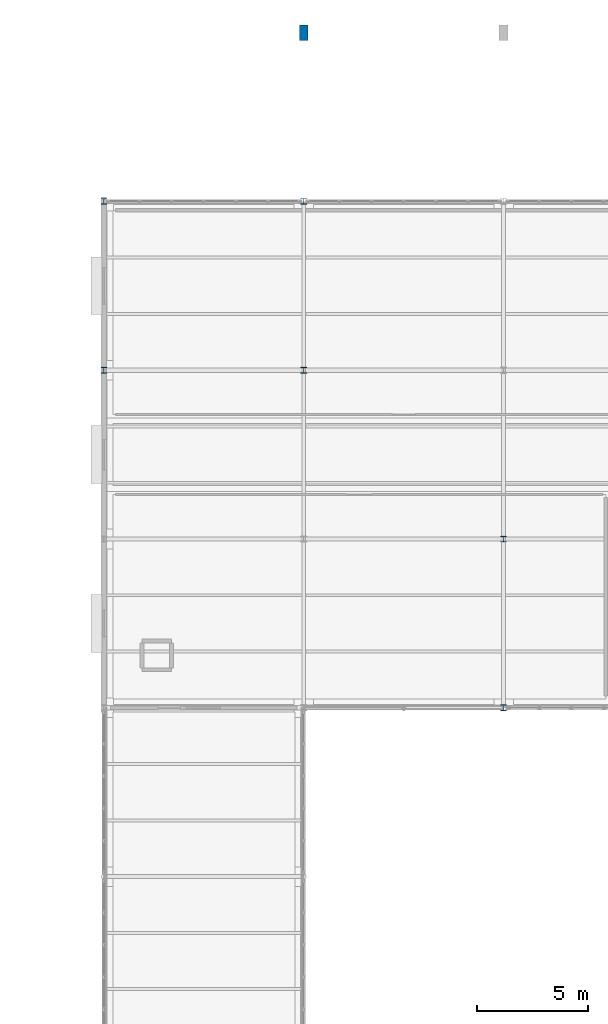
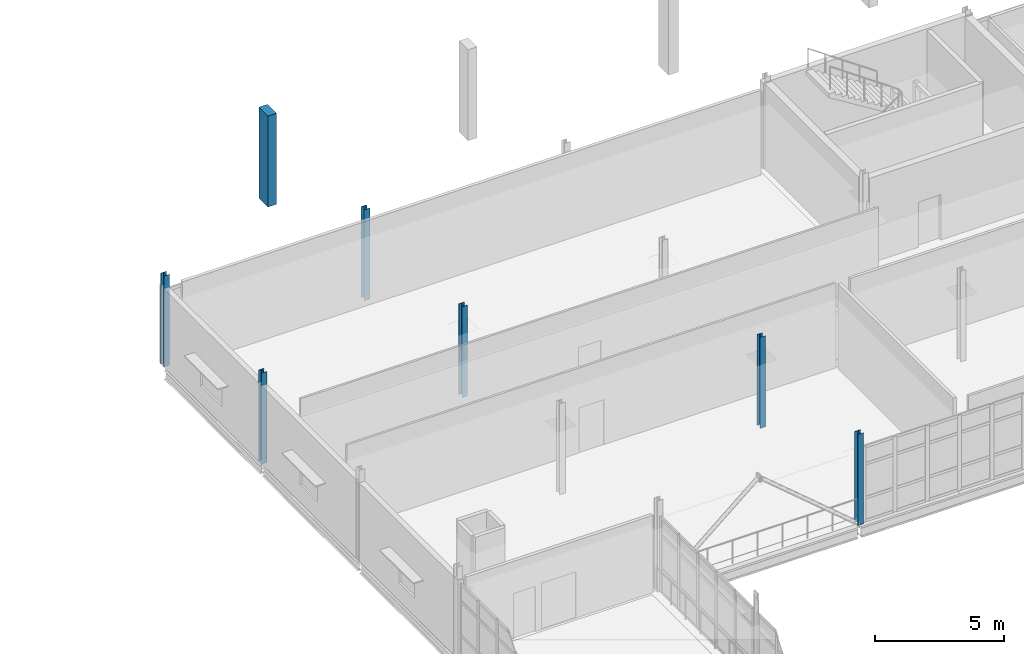
# One storey, part 12 of 166: 7 columns.
"""IFC4 building model written with IfcOpenShell, lengths in metres."""

import ifcopenshell
import ifcopenshell.guid

model = None  # the IFC model being written
_history = None  # IfcOwnerHistory: only IFC2X3 demands one
_inside = {}  # id of a spatial element -> (the spatial element, [elements in it])
_under = {}  # id of a project, library or spatial element -> (it, [spatial elements below it])
_declared = {}  # id of a project -> (the project, [libraries it declares])
_typed = {}  # id of a type object -> (the type object, [elements of that type])
_made_of = {}  # id of a material, layer set ... -> (it, [elements and type objects made of it])


def new_model(schema):
    """Start an empty IFC model of exactly this schema.

    Asked for "IFC4X3", IfcOpenShell would pick the latest addendum, in which some entities
    have other attributes; the version numbers below select the first issue.
    IFC2X3 requires an IfcOwnerHistory on every rooted entity: one is made here for all.
    """
    global model, _history
    if schema == "IFC4X3":
        model = ifcopenshell.file(schema_version=(4, 3, 0, 0))
    else:
        model = ifcopenshell.file(schema=schema)
    _inside.clear()
    _under.clear()
    _declared.clear()
    _typed.clear()
    _made_of.clear()
    _history = None
    if model.schema == "IFC2X3":
        org = make("IfcOrganization", Name="unknown")
        user = make(
            "IfcPersonAndOrganization",
            ThePerson=make("IfcPerson", FamilyName="unknown"),
            TheOrganization=org,
        )
        app = make(
            "IfcApplication",
            ApplicationDeveloper=org,
            Version="unknown",
            ApplicationFullName="unknown",
            ApplicationIdentifier="unknown",
        )
        _history = make(
            "IfcOwnerHistory",
            OwningUser=user,
            OwningApplication=app,
            ChangeAction="ADDED",
            CreationDate=0,
        )
    return model


def make(cls, **values):
    """One entity of the class cls with the attributes given. An attribute that is None is left unset."""
    return model.create_entity(
        cls, **{name: value for name, value in values.items() if value is not None}
    )


def rooted(cls, **values):
    """An entity with a GlobalId (a new one), such as an element, a storey or a relation."""
    return make(cls, GlobalId=ifcopenshell.guid.new(), OwnerHistory=_history, **values)


def si_unit(unit_type, name, prefix=None):
    """IfcSIUnit, for example si_unit("LENGTHUNIT", "METRE", prefix="MILLI")."""
    return make("IfcSIUnit", UnitType=unit_type, Prefix=prefix, Name=name)


def assignment(units):
    """IfcUnitAssignment: the units of a project."""
    return None if units is None else make("IfcUnitAssignment", Units=units)


def point(xyz):
    """IfcCartesianPoint."""
    return None if xyz is None else make("IfcCartesianPoint", Coordinates=xyz)


def direction(xyz):
    """IfcDirection."""
    return None if xyz is None else make("IfcDirection", DirectionRatios=xyz)


def frame(location, z_axis=None, x_axis=None):
    """IfcAxis2Placement3D, a coordinate frame: its origin and axes. An axis left out is left unset."""
    return make(
        "IfcAxis2Placement3D",
        Location=point(location),
        Axis=direction(z_axis),
        RefDirection=direction(x_axis),
    )


def frame_2d(location, x_axis=None):
    """IfcAxis2Placement2D, a coordinate frame in the plane: its origin and x axis."""
    return make(
        "IfcAxis2Placement2D", Location=point(location), RefDirection=direction(x_axis)
    )


def origin():
    """The frame at (0, 0, 0) with its axes left unset."""
    return frame((0.0, 0.0, 0.0))


def origin_2d():
    """The frame at (0, 0) in the plane with its x axis left unset."""
    return frame_2d((0.0, 0.0))


def place(relative_to, where):
    """IfcLocalPlacement: puts the frame where relative to a parent placement (None: the world)."""
    return make(
        "IfcLocalPlacement", PlacementRelTo=relative_to, RelativePlacement=where
    )


def context(
    kind, dimensions, precision=None, world=None, true_north=None, identifier=None
):
    """IfcGeometricRepresentationContext, for example the 3D "Model" context."""
    return make(
        "IfcGeometricRepresentationContext",
        ContextIdentifier=identifier,
        ContextType=kind,
        CoordinateSpaceDimension=dimensions,
        Precision=precision,
        WorldCoordinateSystem=world,
        TrueNorth=true_north,
    )


def subcontext(parent, identifier, kind, view, scale=None):
    """IfcGeometricRepresentationSubContext, for example "Body" below "Model"."""
    return make(
        "IfcGeometricRepresentationSubContext",
        ContextIdentifier=identifier,
        ContextType=kind,
        ParentContext=parent,
        TargetScale=scale,
        TargetView=view,
    )


def project(units=None, contexts=None):
    """IfcProject with its units and contexts."""
    return rooted(
        "IfcProject",
        Name="project",
        RepresentationContexts=contexts,
        UnitsInContext=assignment(units),
    )


def spatial(cls, under=None, at=None, **own):
    """A site, building, storey or space (cls), placed at a placement, below another one or the project."""
    s = rooted(cls, ObjectPlacement=at, **own)
    if under is not None:
        _under.setdefault(under.id(), (under, []))[1].append(s)
    return s


def profile(cls, at=None, kind="AREA", **sizes):
    """A parametric profile (cls). Its sizes go by their IFC names, for example OverallWidth=200.0."""
    return make(cls, ProfileType=kind, Position=at, **sizes)


def rectangle(**sizes):
    """IfcRectangleProfileDef."""
    return profile("IfcRectangleProfileDef", **sizes)


def i_section(**sizes):
    """IfcIShapeProfileDef."""
    return profile("IfcIShapeProfileDef", **sizes)


def extrude(swept, where, along, depth):
    """IfcExtrudedAreaSolid: the profile swept, set in the frame where, extruded along a direction by depth."""
    return make(
        "IfcExtrudedAreaSolid",
        SweptArea=swept,
        Position=where,
        ExtrudedDirection=direction(along),
        Depth=depth,
    )


def shape(context_of_items, identifier, shape_type, items):
    """IfcShapeRepresentation: the items that make up one representation, for example the "Body"."""
    return make(
        "IfcShapeRepresentation",
        ContextOfItems=context_of_items,
        RepresentationIdentifier=identifier,
        RepresentationType=shape_type,
        Items=items,
    )


def material(Name=None, Category=None):
    """IfcMaterial."""
    return make("IfcMaterial", Name=Name, Category=Category)


def material_profile(
    of_material, cross_section, Name=None, Category=None, Priority=None
):
    """IfcMaterialProfile: a cross section and its material."""
    return make(
        "IfcMaterialProfile",
        Name=Name,
        Material=of_material,
        Profile=cross_section,
        Priority=Priority,
        Category=Category,
    )


def profile_set(profiles, Name=None, composite=None):
    """IfcMaterialProfileSet."""
    return make(
        "IfcMaterialProfileSet",
        Name=Name,
        MaterialProfiles=profiles,
        CompositeProfile=composite,
    )


def made_of(thing, what):
    """Note that an element or type object is made of a material, layer set ...; save() writes the relation."""
    if what is not None:
        _made_of.setdefault(what.id(), (what, []))[1].append(thing)
    return thing


def type_object(cls, material=None, **own):
    """A type object (cls), such as IfcWallType, which elements share."""
    return made_of(rooted(cls, **own), material)


def element(
    cls,
    number,
    at=None,
    inside=None,
    cuts=None,
    type_object=None,
    material=None,
    context=None,
    identifier="Body",
    shape_type=None,
    held_by="IfcProductDefinitionShape",
    body=None,
    shapes=None,
    **own,
):
    """One element of the class cls, such as IfcWall. Its Tag is "e" and its number.

    at: its placement. inside: the storey or other place that contains it. cuts: it is an
    opening in that element (IfcRelVoidsElement). A single representation is given by context,
    identifier, shape_type and body (its items); several are given by shapes. held_by: the class
    of the entity that holds the representations. save() writes the other relations.
    """
    e = rooted(cls, Tag="e%d" % number, ObjectPlacement=at, **own)
    if body is not None:
        shapes = [shape(context, identifier, shape_type, body)]
    if shapes is not None:
        e.Representation = make(held_by, Representations=shapes)
    if inside is not None:
        _inside.setdefault(inside.id(), (inside, []))[1].append(e)
    if cuts is not None:
        rooted(
            "IfcRelVoidsElement", RelatingBuildingElement=cuts, RelatedOpeningElement=e
        )
    if type_object is not None:
        _typed.setdefault(type_object.id(), (type_object, []))[1].append(e)
    return made_of(e, material)


def aggregate(whole, parts):
    """IfcRelAggregates: a whole, such as a stair, and the parts it consists of."""
    return rooted("IfcRelAggregates", RelatingObject=whole, RelatedObjects=parts)


def save(model, path):
    """Write the relations noted so far, then the file.

    IfcRelAggregates (storeys below a building ...), IfcRelContainedInSpatialStructure (elements
    in a storey), IfcRelDefinesByType, IfcRelAssociatesMaterial and IfcRelDeclares: one each for
    every whole, place, type object, material and project.
    """
    for whole, parts in _under.values():
        aggregate(whole, parts)
    for where, things in _inside.values():
        rooted(
            "IfcRelContainedInSpatialStructure",
            RelatedElements=things,
            RelatingStructure=where,
        )
    for kind, things in _typed.values():
        rooted("IfcRelDefinesByType", RelatedObjects=things, RelatingType=kind)
    for what, things in _made_of.values():
        rooted("IfcRelAssociatesMaterial", RelatedObjects=things, RelatingMaterial=what)
    for by, libraries in _declared.values():
        rooted("IfcRelDeclares", RelatingContext=by, RelatedDefinitions=libraries)
    model.write(path)


model = new_model("IFC4")

# Units and contexts
model_context = context("Model", 3, precision=1e-05, world=origin(), true_north=direction((0.0, 1.0)))
body_context = subcontext(model_context, "Body", "Model", "MODEL_VIEW")
ifc_project = project(units=[si_unit("LENGTHUNIT", "METRE"), si_unit("AREAUNIT", "SQUARE_METRE"), si_unit("VOLUMEUNIT", "CUBIC_METRE"), si_unit("PLANEANGLEUNIT", "RADIAN"), si_unit("MASSUNIT", "GRAM", prefix="KILO")], contexts=[model_context])

# Site, building, storey
site_placement = place(None, origin())
site = spatial("IfcSite", under=ifc_project, at=site_placement, CompositionType="ELEMENT")
building_placement = place(site_placement, origin())
building = spatial("IfcBuilding", under=site, at=building_placement, Name="Caisbarro Railhouse Central Library", CompositionType="ELEMENT")
storey_placement = place(building_placement, frame((0.0, 0.0, 9.360107421875)))
storey = spatial("IfcBuildingStorey", under=building, at=storey_placement, Name="L02", CompositionType="ELEMENT", Elevation=9.360107421875)

# Columns
ifc_material_1 = material(Name="Steel ASTM A572 Grade 50", Category="steel")
ifc_material_profile_1 = material_profile(ifc_material_1, i_section(OverallWidth=0.25390625, OverallDepth=0.2529296875, WebThickness=0.008544921875, FlangeThickness=0.01416015625, FilletRadius=0.011962890625, at=origin_2d()), Name="W250X73.0")
ifc_profile_set_1 = profile_set([ifc_material_profile_1], Name="Steel ASTM A572 Grade 50")
column_type_1 = type_object("IfcColumnType", Name="COL-C08", PredefinedType="COLUMN", material=ifc_profile_set_1)
for number, where, z_axis, x_axis, name in (
    (1, (54.0, 98.800048828125, 0.0), (0.0, 0.0, 1.0), (1.0, 0.0, 0.0), "C08 column L02 (54.0,98.8)"),
    (2, (54.0, 106.39990234375, 0.0), (0.0, 0.0, 1.0), (1.0, 0.0, 0.0), "C08 column L02 (54.0,106.4)"),
    (3, (63.0, 98.800048828125, 0.0), (0.0, 0.0, 1.0), (1.0, 0.0, 0.0), "C08 column L02 (63.0,98.8)"),
    (4, (63.0, 106.39990234375, 0.0), (0.0, 0.0, 1.0), (1.0, 0.0, 0.0), "C08 column L02 (63.0,106.4)"),
    (5, (72.0, 83.60009765625, 0.0), (0.0, 0.0, 1.0), (1.0, 0.0, 0.0), "C08 column L02 (72.0,83.6)"),
    (6, (72.0, 91.199951171875, 0.0), (0.0, 0.0, 1.0), (1.0, 0.0, 0.0), "C08 column L02 (72.0,91.2)"),
):
    element("IfcColumn", number, at=place(storey_placement, frame(where, z_axis=z_axis, x_axis=x_axis)), inside=storey, type_object=column_type_1, Name=name, PredefinedType="COLUMN", context=body_context, shape_type="SweptSolid", body=[
        extrude(i_section(OverallWidth=0.25390625, OverallDepth=0.2529296875, WebThickness=0.008544921875, FlangeThickness=0.01416015625, FilletRadius=0.011962890625, at=origin_2d()), origin(), (0.0, 0.0, 1.0), 4.31982421875),
    ])
ifc_material_2 = material(Name="Concrete C40", Category="concrete")
ifc_material_profile_2 = material_profile(ifc_material_2, rectangle(XDim=0.39990234375, YDim=0.699951171875, at=origin_2d()), Name="RC-PIL-400X700")
ifc_profile_set_2 = profile_set([ifc_material_profile_2], Name="Concrete C40")
column_type_2 = type_object("IfcColumnType", Name="PIL-P02", PredefinedType="PILASTER", material=ifc_profile_set_2)
column_placement = place(storey_placement, frame((63.0, 114.0, 0.0), z_axis=(0.0, 0.0, 1.0), x_axis=(1.0, 0.0, 0.0)))
element("IfcColumn", 7, at=column_placement, inside=storey, type_object=column_type_2, Name="PL02 column L02 (63.0,114.0)", PredefinedType="PILASTER", context=body_context, shape_type="SweptSolid", body=[
    extrude(rectangle(XDim=0.39990234375, YDim=0.699951171875, at=origin_2d()), origin(), (0.0, 0.0, 1.0), 4.31982421875),
])

save(model, "model.ifc")
